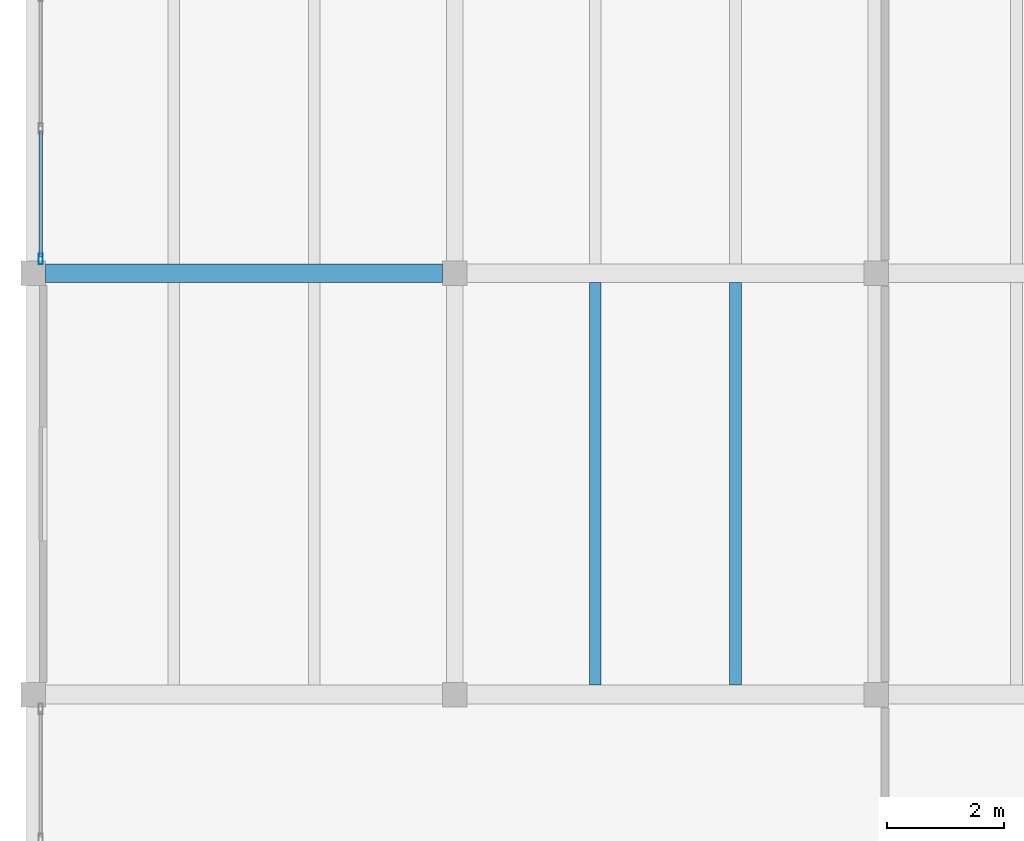
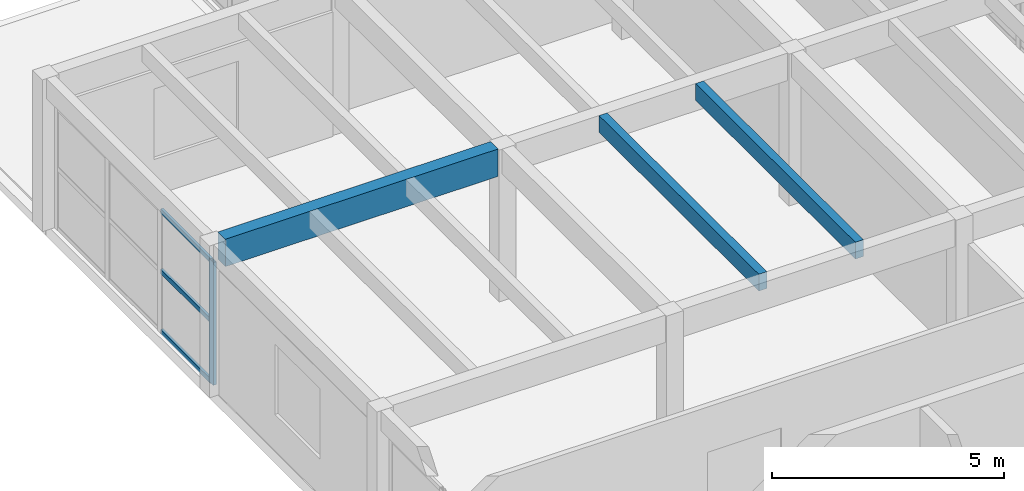
# One storey, part 10 of 68: 4 members, 3 beams, 1 element without a shape of its own.
"""IFC4 building model written with IfcOpenShell, lengths in metres."""

from ifc_helpers import new_model, si_unit, direction, frame, origin, origin_2d, place, context, subcontext, project, spatial, rectangle, hollow_rectangle, extrude, material, material_profile, profile_set, type_object, element, aggregate, save


model = new_model("IFC4")

# Units and contexts
model_context = context("Model", 3, precision=1e-05, world=origin(), true_north=direction((0.0, 1.0)))
body_context = subcontext(model_context, "Body", "Model", "MODEL_VIEW")
ifc_project = project(units=[si_unit("LENGTHUNIT", "METRE"), si_unit("AREAUNIT", "SQUARE_METRE"), si_unit("VOLUMEUNIT", "CUBIC_METRE"), si_unit("PLANEANGLEUNIT", "RADIAN"), si_unit("MASSUNIT", "GRAM", prefix="KILO")], contexts=[model_context])

# Site, building, storey
site_placement = place(None, origin())
site = spatial("IfcSite", under=ifc_project, at=site_placement, CompositionType="ELEMENT")
building_placement = place(site_placement, origin())
building = spatial("IfcBuilding", under=site, at=building_placement, Name="Bramvelor Terrace Health Centre", CompositionType="ELEMENT")
storey_placement = place(building_placement, frame((0.0, 0.0, 9.300048828125)))
storey = spatial("IfcBuildingStorey", under=building, at=storey_placement, Name="L03", CompositionType="ELEMENT", Elevation=9.300048828125)

# Beams
ifc_material_1 = material(Name="Glulam GL28h", Category="wood")
ifc_material_profile_1 = material_profile(ifc_material_1, rectangle(XDim=0.320068359375, YDim=0.719970703125, at=origin_2d()), Name="GL 320x720")
ifc_profile_set_1 = profile_set([ifc_material_profile_1], Name="Glulam GL28h")
beam_type_1 = type_object("IfcBeamType", Name="BM-GL-G720", PredefinedType="BEAM", material=ifc_profile_set_1)
beam_placement = place(storey_placement, frame((0.2099609375, 50.39990234375, 3.6298828125), z_axis=(1.0, 0.0, 0.0), x_axis=(0.0, 1.0, 0.0)))
element("IfcBeam", 1, at=beam_placement, inside=storey, type_object=beam_type_1, Name="L03 Floor Girder", PredefinedType="BEAM", context=body_context, shape_type="SweptSolid", body=[
    extrude(rectangle(XDim=0.320068359375, YDim=0.719970703125, at=origin_2d()), origin(), (0.0, 0.0, 1.0), 6.780029296875),
])
ifc_material_2 = material(Name="Glulam GL28h", Category="wood")
ifc_material_profile_2 = material_profile(ifc_material_2, rectangle(XDim=0.199951171875, YDim=0.43994140625, at=origin_2d()), Name="GL 200x440")
ifc_profile_set_2 = profile_set([ifc_material_profile_2], Name="Glulam GL28h")
beam_type_2 = type_object("IfcBeamType", Name="BM-GL-J440", PredefinedType="JOIST", material=ifc_profile_set_2)
for number, where, z_axis, x_axis, name in (
    (2, (9.60009765625, 43.360107421875, 3.77001953125), (0.0, 1.0, 0.0), (-1.0, 0.0, 0.0), "L03 Secondary Floor Joist"),
    (3, (12.0, 43.360107421875, 3.77001953125), (0.0, 1.0, 0.0), (-1.0, 0.0, 0.0), "L03 Secondary Floor Joist"),
):
    element("IfcBeam", number, at=place(storey_placement, frame(where, z_axis=z_axis, x_axis=x_axis)), inside=storey, type_object=beam_type_2, Name=name, PredefinedType="JOIST", context=body_context, shape_type="SweptSolid", body=[
        extrude(rectangle(XDim=0.199951171875, YDim=0.43994140625, at=origin_2d()), origin(), (0.0, 0.0, 1.0), 6.8798828125),
    ])

# Curtain wall, members
ifc_material_3 = material(Name="Anodized aluminium and double low-E glass", Category="aluminium")
curtain_wall_type = type_object("IfcCurtainWallType", Name="CW-SYS-27", PredefinedType="NOTDEFINED", material=ifc_material_3)
curtain_wall_placement = place(storey_placement, origin())
curtain_wall = element("IfcCurtainWall", 4, at=curtain_wall_placement, inside=storey, type_object=curtain_wall_type, Name="L03 Unitized Curtain Wall 159", PredefinedType="NOTDEFINED")
ifc_material_4 = material(Name="Anodized aluminium 6063-T6", Category="aluminium")
ifc_material_profile_3 = material_profile(ifc_material_4, hollow_rectangle(XDim=0.074951171875, YDim=0.179931640625, WallThickness=0.00341796875, at=origin_2d()), Name="ALU-MUL 75x180x3.5")
ifc_profile_set_3 = profile_set([ifc_material_profile_3], Name="Anodized aluminium 6063-T6")
member_type_1 = type_object("IfcMemberType", Name="CW-MUL-65x180", PredefinedType="MULLION", material=ifc_profile_set_3)
member_1_placement = place(storey_placement, frame((0.1298828125, 50.642578125, 0.0), z_axis=(0.0, 0.0, 1.0), x_axis=(-1.0, 0.0, 0.0)))
member_1 = element("IfcMember", 5, at=member_1_placement, type_object=member_type_1, Name="CW-27 mullion 1", PredefinedType="MULLION", context=body_context, shape_type="SweptSolid", body=[
    extrude(hollow_rectangle(XDim=0.074951171875, YDim=0.179931640625, WallThickness=0.00341796875, at=origin_2d()), origin(), (0.0, 0.0, 1.0), 3.22998046875),
])
ifc_material_5 = material(Name="Anodized aluminium 6063-T6", Category="aluminium")
ifc_material_profile_4 = material_profile(ifc_material_5, hollow_rectangle(XDim=0.06494140625, YDim=0.1201171875, WallThickness=0.0029296875, at=origin_2d()), Name="ALU-TRN 65x120x3.0")
ifc_profile_set_4 = profile_set([ifc_material_profile_4], Name="Anodized aluminium 6063-T6")
member_type_2 = type_object("IfcMemberType", Name="CW-TRN-65x150", PredefinedType="USERDEFINED", material=ifc_profile_set_4)
member_2_placement = place(storey_placement, frame((0.1298828125, 50.679931640625, 0.032470703125), z_axis=(0.0, 1.0, 0.0), x_axis=(-1.0, 0.0, 0.0)))
member_2 = element("IfcMember", 6, at=member_2_placement, type_object=member_type_2, Name="CW-27 transom 1.1", ObjectType="TRANSOM", PredefinedType="USERDEFINED", context=body_context, shape_type="SweptSolid", body=[
    extrude(hollow_rectangle(XDim=0.06494140625, YDim=0.1201171875, WallThickness=0.0029296875, at=origin_2d()), origin(), (0.0, 0.0, 1.0), 2.15087890625),
])
member_3_placement = place(storey_placement, frame((0.1298828125, 50.679931640625, 1.614990234375), z_axis=(0.0, 1.0, 0.0), x_axis=(-1.0, 0.0, 0.0)))
member_3 = element("IfcMember", 7, at=member_3_placement, type_object=member_type_2, Name="CW-27 transom 1.2", ObjectType="TRANSOM", PredefinedType="USERDEFINED", context=body_context, shape_type="SweptSolid", body=[
    extrude(hollow_rectangle(XDim=0.06494140625, YDim=0.1201171875, WallThickness=0.0029296875, at=origin_2d()), origin(), (0.0, 0.0, 1.0), 2.15087890625),
])
member_4_placement = place(storey_placement, frame((0.1298828125, 50.679931640625, 3.197509765625), z_axis=(0.0, 1.0, 0.0), x_axis=(-1.0, 0.0, 0.0)))
member_4 = element("IfcMember", 8, at=member_4_placement, type_object=member_type_2, Name="CW-27 transom 1.3", ObjectType="TRANSOM", PredefinedType="USERDEFINED", context=body_context, shape_type="SweptSolid", body=[
    extrude(hollow_rectangle(XDim=0.06494140625, YDim=0.1201171875, WallThickness=0.0029296875, at=origin_2d()), origin(), (0.0, 0.0, 1.0), 2.15087890625),
])
aggregate(curtain_wall, [member_1, member_2, member_3, member_4])

save(model, "model.ifc")
